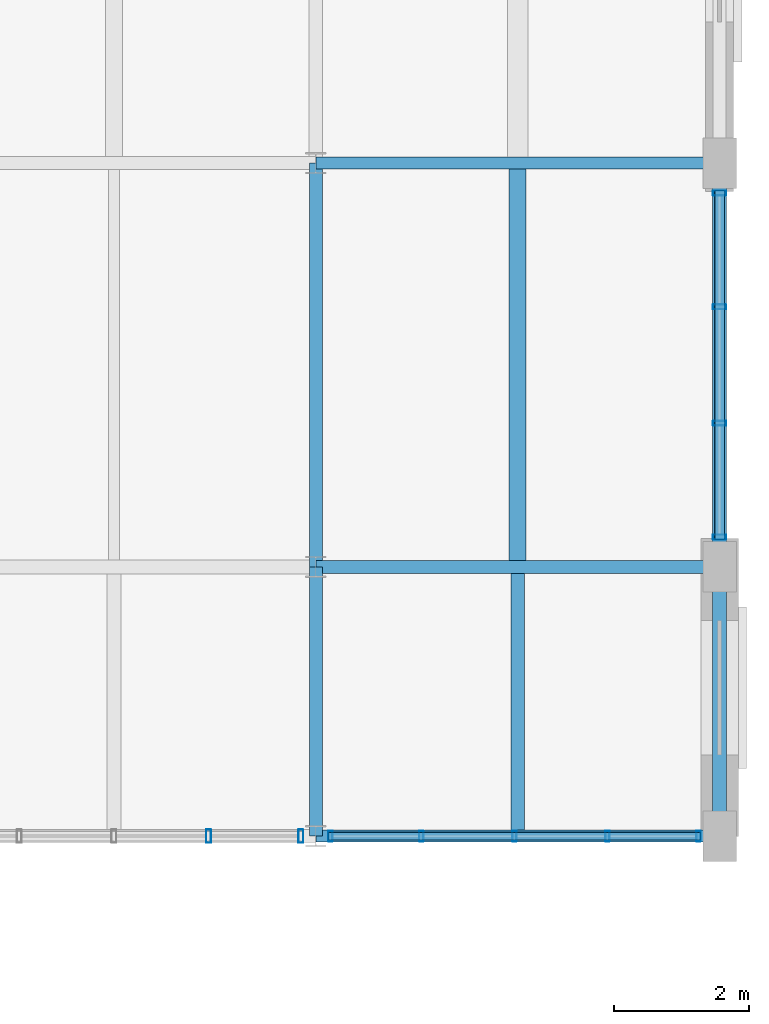
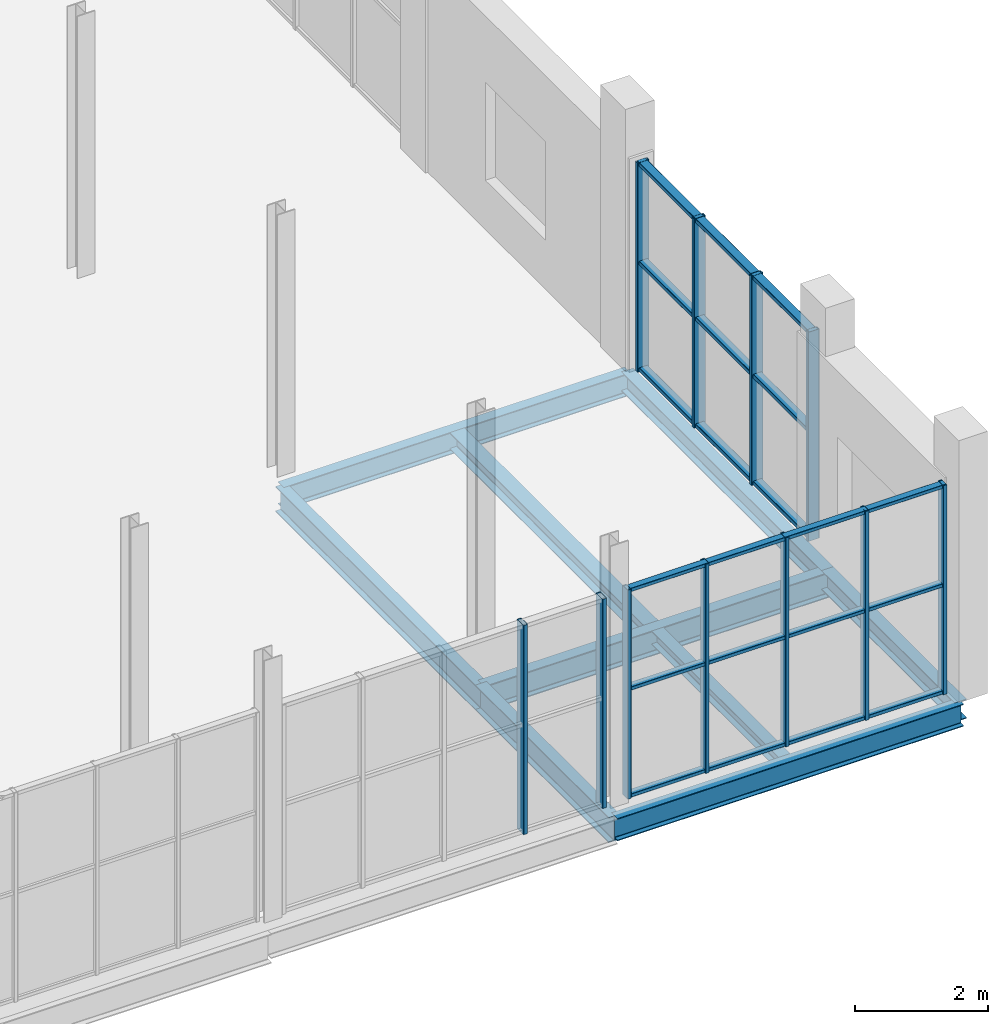
# One storey, part 68 of 114: 17 members, 9 beams, 3 elements without a shape of their own.
"""IFC4 building model written with IfcOpenShell, lengths in metres."""

from ifc_helpers import new_model, si_unit, direction, frame, origin, origin_2d, place, context, subcontext, project, spatial, hollow_rectangle, i_section, extrude, material, material_profile, profile_set, type_object, element, aggregate, save


model = new_model("IFC4")

# Units and contexts
model_context = context("Model", 3, precision=1e-05, world=origin(), true_north=direction((0.0, 1.0)))
body_context = subcontext(model_context, "Body", "Model", "MODEL_VIEW")
ifc_project = project(units=[si_unit("LENGTHUNIT", "METRE"), si_unit("AREAUNIT", "SQUARE_METRE"), si_unit("VOLUMEUNIT", "CUBIC_METRE"), si_unit("PLANEANGLEUNIT", "RADIAN"), si_unit("MASSUNIT", "GRAM", prefix="KILO")], contexts=[model_context])

# Site, building, storey
site_placement = place(None, origin())
site = spatial("IfcSite", under=ifc_project, at=site_placement, CompositionType="ELEMENT")
building_placement = place(site_placement, origin())
building = spatial("IfcBuilding", under=site, at=building_placement, Name="Verrall Gate Interchange", CompositionType="ELEMENT")
storey_placement = place(building_placement, frame((0.0, 0.0, 6.60009765625)))
storey = spatial("IfcBuildingStorey", under=building, at=storey_placement, Name="L02", CompositionType="ELEMENT", Elevation=6.60009765625)

# Beams
ifc_material_1 = material(Name="Structural Steel CSA G40.21 350W", Category="steel")
ifc_material_profile_1 = material_profile(ifc_material_1, i_section(OverallWidth=0.19189453125, OverallDepth=0.462890625, WebThickness=0.010498046875, FlangeThickness=0.017578125, FilletRadius=0.012939453125, at=origin_2d()), Name="W460x89")
ifc_profile_set_1 = profile_set([ifc_material_profile_1], Name="Structural Steel CSA G40.21 350W")
beam_type_1 = type_object("IfcBeamType", Name="B-11 Structural Beam W460x89", PredefinedType="BEAM", material=ifc_profile_set_1)
beam_1_placement = place(storey_placement, frame((162.0, 16.0, -0.51171875), z_axis=(1.0, 0.0, 0.0), x_axis=(0.0, 1.0, 0.0)))
element("IfcBeam", 1, at=beam_1_placement, inside=storey, type_object=beam_type_1, Name="L02 Girder BM-L02-1503 (B-11)", PredefinedType="BEAM", context=body_context, shape_type="SweptSolid", body=[
    extrude(i_section(OverallWidth=0.19189453125, OverallDepth=0.462890625, WebThickness=0.010498046875, FlangeThickness=0.017578125, FilletRadius=0.012939453125, at=origin_2d()), origin(), (0.0, 0.0, 1.0), 6.0),
])
beam_2_placement = place(storey_placement, frame((162.0, 12.0, -0.51171875), z_axis=(0.0, 1.0, 0.0), x_axis=(-1.0, 0.0, 0.0)))
element("IfcBeam", 2, at=beam_2_placement, inside=storey, type_object=beam_type_1, Name="L02 Girder BM-L02-1823 (B-11)", PredefinedType="BEAM", context=body_context, shape_type="SweptSolid", body=[
    extrude(i_section(OverallWidth=0.19189453125, OverallDepth=0.462890625, WebThickness=0.010498046875, FlangeThickness=0.017578125, FilletRadius=0.012939453125, at=origin_2d()), origin(), (0.0, 0.0, 1.0), 4.0),
])
beam_3_placement = place(storey_placement, frame((162.0, 16.0, -0.51171875), z_axis=(0.0, 1.0, 0.0), x_axis=(-1.0, 0.0, 0.0)))
element("IfcBeam", 3, at=beam_3_placement, inside=storey, type_object=beam_type_1, Name="L02 Girder BM-L02-1824 (B-11)", PredefinedType="BEAM", context=body_context, shape_type="SweptSolid", body=[
    extrude(i_section(OverallWidth=0.19189453125, OverallDepth=0.462890625, WebThickness=0.010498046875, FlangeThickness=0.017578125, FilletRadius=0.012939453125, at=origin_2d()), origin(), (0.0, 0.0, 1.0), 6.0),
])
ifc_material_2 = material(Name="Structural Steel CSA G40.21 350W", Category="steel")
ifc_material_profile_2 = material_profile(ifc_material_2, i_section(OverallWidth=0.178955078125, OverallDepth=0.409912109375, WebThickness=0.0087890625, FlangeThickness=0.014404296875, FilletRadius=0.011962890625, at=origin_2d()), Name="W410x67")
ifc_profile_set_2 = profile_set([ifc_material_profile_2], Name="Structural Steel CSA G40.21 350W")
beam_type_2 = type_object("IfcBeamType", Name="B-12 Structural Beam W410x67", PredefinedType="BEAM", material=ifc_profile_set_2)
for number, where, z_axis, x_axis, name in (
    (4, (162.0, 12.0, -0.485107421875), (1.0, 0.0, 0.0), (0.0, 1.0, 0.0), "L02 Girder BM-L02-1486 (B-12)"),
    (5, (162.0, 22.0, -0.485107421875), (1.0, 0.0, 0.0), (0.0, 1.0, 0.0), "L02 Girder BM-L02-1514 (B-12)"),
):
    element("IfcBeam", number, at=place(storey_placement, frame(where, z_axis=z_axis, x_axis=x_axis)), inside=storey, type_object=beam_type_2, Name=name, PredefinedType="BEAM", context=body_context, shape_type="SweptSolid", body=[
        extrude(i_section(OverallWidth=0.178955078125, OverallDepth=0.409912109375, WebThickness=0.0087890625, FlangeThickness=0.014404296875, FilletRadius=0.011962890625, at=origin_2d()), origin(), (0.0, 0.0, 1.0), 6.0),
    ])
ifc_material_3 = material(Name="Structural Steel CSA G40.21 350W", Category="steel")
ifc_material_profile_3 = material_profile(ifc_material_3, i_section(OverallWidth=0.205078125, OverallDepth=0.35400390625, WebThickness=0.009521484375, FlangeThickness=0.016845703125, FilletRadius=0.012939453125, at=origin_2d()), Name="W360x79")
ifc_profile_set_3 = profile_set([ifc_material_profile_3], Name="Structural Steel CSA G40.21 350W")
beam_type_3 = type_object("IfcBeamType", Name="B-14 Structural Beam W360x79", PredefinedType="BEAM", material=ifc_profile_set_3)
beam_4_placement = place(storey_placement, frame((168.0, 12.0, -0.45703125), z_axis=(0.0, 1.0, 0.0), x_axis=(-1.0, 0.0, 0.0)))
element("IfcBeam", 6, at=beam_4_placement, inside=storey, type_object=beam_type_3, Name="L02 Girder BM-L02-1831 (B-14)", PredefinedType="BEAM", context=body_context, shape_type="SweptSolid", body=[
    extrude(i_section(OverallWidth=0.205078125, OverallDepth=0.35400390625, WebThickness=0.009521484375, FlangeThickness=0.016845703125, FilletRadius=0.012939453125, at=origin_2d()), origin(), (0.0, 0.0, 1.0), 4.0),
])
beam_5_placement = place(storey_placement, frame((168.0, 16.0, -0.45703125), z_axis=(0.0, 1.0, 0.0), x_axis=(-1.0, 0.0, 0.0)))
element("IfcBeam", 7, at=beam_5_placement, inside=storey, type_object=beam_type_3, Name="L02 Girder BM-L02-1832 (B-14)", PredefinedType="BEAM", context=body_context, shape_type="SweptSolid", body=[
    extrude(i_section(OverallWidth=0.205078125, OverallDepth=0.35400390625, WebThickness=0.009521484375, FlangeThickness=0.016845703125, FilletRadius=0.012939453125, at=origin_2d()), origin(), (0.0, 0.0, 1.0), 6.0),
])

# Curtain wall, members
ifc_material_4 = material(Name="Thermally Broken Anodized Aluminium Curtain Wall Framing", Category="aluminium")
curtain_wall_type_1 = type_object("IfcCurtainWallType", Name="CW-23 Unitized Curtain Wall 5532x3830", PredefinedType="NOTDEFINED", material=ifc_material_4)
curtain_wall_1_placement = place(storey_placement, origin())
curtain_wall_1 = element("IfcCurtainWall", 8, at=curtain_wall_1_placement, inside=storey, type_object=curtain_wall_type_1, Name="L02 Unitized Curtain Wall CW-L02-090", PredefinedType="NOTDEFINED")
ifc_material_5 = material(Name="Thermally Broken Anodized Aluminium Curtain Wall Framing", Category="aluminium")
ifc_material_profile_4 = material_profile(ifc_material_5, hollow_rectangle(XDim=0.06494140625, YDim=0.159912109375, WallThickness=0.00390625, InnerFilletRadius=0.00390625, OuterFilletRadius=0.008056640625, at=origin_2d()), Name="CWM160x65x4")
ifc_profile_set_4 = profile_set([ifc_material_profile_4], Name="Thermally Broken Anodized Aluminium Curtain Wall Framing")
member_type_1 = type_object("IfcMemberType", Name="CM-01 Curtain Mullion CWM160x65x4", PredefinedType="MULLION", material=ifc_profile_set_4)
member_1_placement = place(storey_placement, frame((162.218017578125, 12.0, 0.0), z_axis=(0.0, 0.0, 1.0), x_axis=(1.0, 0.0, 0.0)))
member_1 = element("IfcMember", 9, at=member_1_placement, type_object=member_type_1, Name="CW-L02-090 Mullion 1", PredefinedType="MULLION", context=body_context, shape_type="SweptSolid", body=[
    extrude(hollow_rectangle(XDim=0.06494140625, YDim=0.159912109375, WallThickness=0.00390625, InnerFilletRadius=0.00390625, OuterFilletRadius=0.008056640625, at=origin_2d()), origin(), (0.0, 0.0, 1.0), 3.829833984375),
])
member_2_placement = place(storey_placement, frame((163.568603515625, 12.0, 0.0), z_axis=(0.0, 0.0, 1.0), x_axis=(1.0, 0.0, 0.0)))
member_2 = element("IfcMember", 10, at=member_2_placement, type_object=member_type_1, Name="CW-L02-090 Mullion 2", PredefinedType="MULLION", context=body_context, shape_type="SweptSolid", body=[
    extrude(hollow_rectangle(XDim=0.06494140625, YDim=0.159912109375, WallThickness=0.00390625, InnerFilletRadius=0.00390625, OuterFilletRadius=0.008056640625, at=origin_2d()), origin(), (0.0, 0.0, 1.0), 3.829833984375),
])
member_3_placement = place(storey_placement, frame((164.95166015625, 12.0, 0.0), z_axis=(0.0, 0.0, 1.0), x_axis=(1.0, 0.0, 0.0)))
member_3 = element("IfcMember", 11, at=member_3_placement, type_object=member_type_1, Name="CW-L02-090 Mullion 3", PredefinedType="MULLION", context=body_context, shape_type="SweptSolid", body=[
    extrude(hollow_rectangle(XDim=0.06494140625, YDim=0.159912109375, WallThickness=0.00390625, InnerFilletRadius=0.00390625, OuterFilletRadius=0.008056640625, at=origin_2d()), origin(), (0.0, 0.0, 1.0), 3.829833984375),
])
member_4_placement = place(storey_placement, frame((166.3349609375, 12.0, 0.0), z_axis=(0.0, 0.0, 1.0), x_axis=(1.0, 0.0, 0.0)))
member_4 = element("IfcMember", 12, at=member_4_placement, type_object=member_type_1, Name="CW-L02-090 Mullion 4", PredefinedType="MULLION", context=body_context, shape_type="SweptSolid", body=[
    extrude(hollow_rectangle(XDim=0.06494140625, YDim=0.159912109375, WallThickness=0.00390625, InnerFilletRadius=0.00390625, OuterFilletRadius=0.008056640625, at=origin_2d()), origin(), (0.0, 0.0, 1.0), 3.829833984375),
])
member_5_placement = place(storey_placement, frame((167.685546875, 12.0, 0.0), z_axis=(0.0, 0.0, 1.0), x_axis=(1.0, 0.0, 0.0)))
member_5 = element("IfcMember", 13, at=member_5_placement, type_object=member_type_1, Name="CW-L02-090 Mullion 5", PredefinedType="MULLION", context=body_context, shape_type="SweptSolid", body=[
    extrude(hollow_rectangle(XDim=0.06494140625, YDim=0.159912109375, WallThickness=0.00390625, InnerFilletRadius=0.00390625, OuterFilletRadius=0.008056640625, at=origin_2d()), origin(), (0.0, 0.0, 1.0), 3.829833984375),
])

ifc_material_6 = material(Name="Thermally Broken Anodized Aluminium Curtain Wall Framing", Category="aluminium")
curtain_wall_type_2 = type_object("IfcCurtainWallType", Name="CW-18 Unitized Curtain Wall 5631x3760", PredefinedType="NOTDEFINED", material=ifc_material_6)
curtain_wall_2_placement = place(storey_placement, origin())
curtain_wall_2 = element("IfcCurtainWall", 14, at=curtain_wall_2_placement, inside=storey, type_object=curtain_wall_type_2, Name="L02 Unitized Curtain Wall CW-L02-089", PredefinedType="NOTDEFINED")
ifc_material_7 = material(Name="Thermally Broken Anodized Aluminium Curtain Wall Framing", Category="aluminium")
ifc_material_profile_5 = material_profile(ifc_material_7, hollow_rectangle(XDim=0.074951171875, YDim=0.199951171875, WallThickness=0.0048828125, InnerFilletRadius=0.0048828125, OuterFilletRadius=0.010009765625, at=origin_2d()), Name="CWM200x75x5")
ifc_profile_set_5 = profile_set([ifc_material_profile_5], Name="Thermally Broken Anodized Aluminium Curtain Wall Framing")
member_type_2 = type_object("IfcMemberType", Name="CM-02 Curtain Mullion CWM200x75x5", PredefinedType="MULLION", material=ifc_profile_set_5)
member_6_placement = place(storey_placement, frame((160.4072265625, 12.0, 0.0), z_axis=(0.0, 0.0, 1.0), x_axis=(1.0, 0.0, 0.0)))
member_6 = element("IfcMember", 15, at=member_6_placement, type_object=member_type_2, Name="CW-L02-089 Mullion 4", PredefinedType="MULLION", context=body_context, shape_type="SweptSolid", body=[
    extrude(hollow_rectangle(XDim=0.074951171875, YDim=0.199951171875, WallThickness=0.0048828125, InnerFilletRadius=0.0048828125, OuterFilletRadius=0.010009765625, at=origin_2d()), origin(), (0.0, 0.0, 1.0), 3.829833984375),
])
member_7_placement = place(storey_placement, frame((161.777099609375, 12.0, 0.0), z_axis=(0.0, 0.0, 1.0), x_axis=(1.0, 0.0, 0.0)))
member_7 = element("IfcMember", 16, at=member_7_placement, type_object=member_type_2, Name="CW-L02-089 Mullion 5", PredefinedType="MULLION", context=body_context, shape_type="SweptSolid", body=[
    extrude(hollow_rectangle(XDim=0.074951171875, YDim=0.199951171875, WallThickness=0.0048828125, InnerFilletRadius=0.0048828125, OuterFilletRadius=0.010009765625, at=origin_2d()), origin(), (0.0, 0.0, 1.0), 3.829833984375),
])
aggregate(curtain_wall_2, [member_6, member_7])

ifc_material_8 = material(Name="Thermally Broken Anodized Aluminium Curtain Wall Framing", Category="aluminium")
curtain_wall_type_3 = type_object("IfcCurtainWallType", Name="CW-24 Unitized Curtain Wall 5186x3830", PredefinedType="NOTDEFINED", material=ifc_material_8)
curtain_wall_3_placement = place(storey_placement, origin())
curtain_wall_3 = element("IfcCurtainWall", 17, at=curtain_wall_3_placement, inside=storey, type_object=curtain_wall_type_3, Name="L02 Unitized Curtain Wall CW-L02-091", PredefinedType="NOTDEFINED")
member_8_placement = place(storey_placement, frame((168.0, 16.444580078125, 0.0), z_axis=(0.0, 0.0, 1.0), x_axis=(0.0, 1.0, 0.0)))
member_8 = element("IfcMember", 18, at=member_8_placement, type_object=member_type_2, Name="CW-L02-091 Mullion 1", PredefinedType="MULLION", context=body_context, shape_type="SweptSolid", body=[
    extrude(hollow_rectangle(XDim=0.074951171875, YDim=0.199951171875, WallThickness=0.0048828125, InnerFilletRadius=0.0048828125, OuterFilletRadius=0.010009765625, at=origin_2d()), origin(), (0.0, 0.0, 1.0), 3.829833984375),
])
member_9_placement = place(storey_placement, frame((168.0, 18.1357421875, 0.0), z_axis=(0.0, 0.0, 1.0), x_axis=(0.0, 1.0, 0.0)))
member_9 = element("IfcMember", 19, at=member_9_placement, type_object=member_type_2, Name="CW-L02-091 Mullion 2", PredefinedType="MULLION", context=body_context, shape_type="SweptSolid", body=[
    extrude(hollow_rectangle(XDim=0.074951171875, YDim=0.199951171875, WallThickness=0.0048828125, InnerFilletRadius=0.0048828125, OuterFilletRadius=0.010009765625, at=origin_2d()), origin(), (0.0, 0.0, 1.0), 3.829833984375),
])
member_10_placement = place(storey_placement, frame((168.0, 19.8642578125, 0.0), z_axis=(0.0, 0.0, 1.0), x_axis=(0.0, 1.0, 0.0)))
member_10 = element("IfcMember", 20, at=member_10_placement, type_object=member_type_2, Name="CW-L02-091 Mullion 3", PredefinedType="MULLION", context=body_context, shape_type="SweptSolid", body=[
    extrude(hollow_rectangle(XDim=0.074951171875, YDim=0.199951171875, WallThickness=0.0048828125, InnerFilletRadius=0.0048828125, OuterFilletRadius=0.010009765625, at=origin_2d()), origin(), (0.0, 0.0, 1.0), 3.829833984375),
])
member_11_placement = place(storey_placement, frame((168.0, 21.555419921875, 0.0), z_axis=(0.0, 0.0, 1.0), x_axis=(0.0, 1.0, 0.0)))
member_11 = element("IfcMember", 21, at=member_11_placement, type_object=member_type_2, Name="CW-L02-091 Mullion 4", PredefinedType="MULLION", context=body_context, shape_type="SweptSolid", body=[
    extrude(hollow_rectangle(XDim=0.074951171875, YDim=0.199951171875, WallThickness=0.0048828125, InnerFilletRadius=0.0048828125, OuterFilletRadius=0.010009765625, at=origin_2d()), origin(), (0.0, 0.0, 1.0), 3.829833984375),
])

# Member
ifc_material_9 = material(Name="Thermally Broken Anodized Aluminium Curtain Wall Framing", Category="aluminium")
ifc_material_profile_6 = material_profile(ifc_material_9, hollow_rectangle(XDim=0.1201171875, YDim=0.06494140625, WallThickness=0.00390625, InnerFilletRadius=0.00390625, OuterFilletRadius=0.008056640625, at=origin_2d()), Name="CWT120x65x4")
ifc_profile_set_6 = profile_set([ifc_material_profile_6], Name="Thermally Broken Anodized Aluminium Curtain Wall Framing")
member_type_3 = type_object("IfcMemberType", Name="CT-01 Curtain Transom CWT120x65x4", PredefinedType="USERDEFINED", material=ifc_profile_set_6)
member_12_placement = place(storey_placement, frame((162.185546875, 12.0, 0.032470703125), z_axis=(1.0, 0.0, 0.0), x_axis=(0.0, 1.0, 0.0)))
member_12 = element("IfcMember", 22, at=member_12_placement, type_object=member_type_3, Name="CW-L02-090 Transom 1", ObjectType="TRANSOM", PredefinedType="USERDEFINED", context=body_context, shape_type="SweptSolid", body=[
    extrude(hollow_rectangle(XDim=0.1201171875, YDim=0.06494140625, WallThickness=0.00390625, InnerFilletRadius=0.00390625, OuterFilletRadius=0.008056640625, at=origin_2d()), origin(), (0.0, 0.0, 1.0), 5.532470703125),
])

member_13_placement = place(storey_placement, frame((162.185546875, 12.0, 1.991455078125), z_axis=(1.0, 0.0, 0.0), x_axis=(0.0, 1.0, 0.0)))
member_13 = element("IfcMember", 23, at=member_13_placement, type_object=member_type_3, Name="CW-L02-090 Transom 2", ObjectType="TRANSOM", PredefinedType="USERDEFINED", context=body_context, shape_type="SweptSolid", body=[
    extrude(hollow_rectangle(XDim=0.1201171875, YDim=0.06494140625, WallThickness=0.00390625, InnerFilletRadius=0.00390625, OuterFilletRadius=0.008056640625, at=origin_2d()), origin(), (0.0, 0.0, 1.0), 5.532470703125),
])

member_14_placement = place(storey_placement, frame((162.185546875, 12.0, 3.79736328125), z_axis=(1.0, 0.0, 0.0), x_axis=(0.0, 1.0, 0.0)))
member_14 = element("IfcMember", 24, at=member_14_placement, type_object=member_type_3, Name="CW-L02-090 Transom 3", ObjectType="TRANSOM", PredefinedType="USERDEFINED", context=body_context, shape_type="SweptSolid", body=[
    extrude(hollow_rectangle(XDim=0.1201171875, YDim=0.06494140625, WallThickness=0.00390625, InnerFilletRadius=0.00390625, OuterFilletRadius=0.008056640625, at=origin_2d()), origin(), (0.0, 0.0, 1.0), 5.532470703125),
])

aggregate(curtain_wall_1, [member_1, member_2, member_3, member_4, member_5, member_12, member_13, member_14])

ifc_material_10 = material(Name="Thermally Broken Anodized Aluminium Curtain Wall Framing", Category="aluminium")
ifc_material_profile_7 = material_profile(ifc_material_10, hollow_rectangle(XDim=0.14990234375, YDim=0.074951171875, WallThickness=0.00439453125, InnerFilletRadius=0.00439453125, OuterFilletRadius=0.009033203125, at=origin_2d()), Name="CWT150x75x4.5")
ifc_profile_set_7 = profile_set([ifc_material_profile_7], Name="Thermally Broken Anodized Aluminium Curtain Wall Framing")
member_type_4 = type_object("IfcMemberType", Name="CT-02 Curtain Transom CWT150x75x4.5", PredefinedType="USERDEFINED", material=ifc_profile_set_7)
member_15_placement = place(storey_placement, frame((168.0, 16.406982421875, 0.037353515625), z_axis=(0.0, 1.0, 0.0), x_axis=(-1.0, 0.0, 0.0)))
member_15 = element("IfcMember", 25, at=member_15_placement, type_object=member_type_4, Name="CW-L02-091 Transom 1", ObjectType="TRANSOM", PredefinedType="USERDEFINED", context=body_context, shape_type="SweptSolid", body=[
    extrude(hollow_rectangle(XDim=0.14990234375, YDim=0.074951171875, WallThickness=0.00439453125, InnerFilletRadius=0.00439453125, OuterFilletRadius=0.009033203125, at=origin_2d()), origin(), (0.0, 0.0, 1.0), 5.18603515625),
])

member_16_placement = place(storey_placement, frame((168.0, 16.406982421875, 1.991455078125), z_axis=(0.0, 1.0, 0.0), x_axis=(-1.0, 0.0, 0.0)))
member_16 = element("IfcMember", 26, at=member_16_placement, type_object=member_type_4, Name="CW-L02-091 Transom 2", ObjectType="TRANSOM", PredefinedType="USERDEFINED", context=body_context, shape_type="SweptSolid", body=[
    extrude(hollow_rectangle(XDim=0.14990234375, YDim=0.074951171875, WallThickness=0.00439453125, InnerFilletRadius=0.00439453125, OuterFilletRadius=0.009033203125, at=origin_2d()), origin(), (0.0, 0.0, 1.0), 5.18603515625),
])

member_17_placement = place(storey_placement, frame((168.0, 16.406982421875, 3.79248046875), z_axis=(0.0, 1.0, 0.0), x_axis=(-1.0, 0.0, 0.0)))
member_17 = element("IfcMember", 27, at=member_17_placement, type_object=member_type_4, Name="CW-L02-091 Transom 3", ObjectType="TRANSOM", PredefinedType="USERDEFINED", context=body_context, shape_type="SweptSolid", body=[
    extrude(hollow_rectangle(XDim=0.14990234375, YDim=0.074951171875, WallThickness=0.00439453125, InnerFilletRadius=0.00439453125, OuterFilletRadius=0.009033203125, at=origin_2d()), origin(), (0.0, 0.0, 1.0), 5.18603515625),
])

aggregate(curtain_wall_3, [member_8, member_9, member_10, member_11, member_15, member_16, member_17])

# Beams
ifc_material_11 = material(Name="Structural Steel CSA G40.21 350W", Category="steel")
ifc_material_profile_8 = material_profile(ifc_material_11, i_section(OverallWidth=0.25390625, OverallDepth=0.305908203125, WebThickness=0.0087890625, FlangeThickness=0.0146484375, FilletRadius=0.012939453125, at=origin_2d()), Name="W310x79")
ifc_profile_set_8 = profile_set([ifc_material_profile_8], Name="Structural Steel CSA G40.21 350W")
beam_type_4 = type_object("IfcBeamType", Name="J-03 Floor Joist W310x79", PredefinedType="JOIST", material=ifc_profile_set_8)
beam_6_placement = place(storey_placement, frame((165.0, 16.095947265625, -0.43310546875), z_axis=(0.0, 1.0, 0.0), x_axis=(-1.0, 0.0, 0.0)))
element("IfcBeam", 28, at=beam_6_placement, inside=storey, type_object=beam_type_4, Name="L02 Secondary Floor Joist JST-L02-1890", PredefinedType="JOIST", context=body_context, shape_type="SweptSolid", body=[
    extrude(i_section(OverallWidth=0.25390625, OverallDepth=0.305908203125, WebThickness=0.0087890625, FlangeThickness=0.0146484375, FilletRadius=0.012939453125, at=origin_2d()), origin(), (0.0, 0.0, 1.0), 5.814453125),
])
ifc_material_12 = material(Name="Structural Steel CSA G40.21 350W", Category="steel")
ifc_material_profile_9 = material_profile(ifc_material_12, i_section(OverallWidth=0.201904296875, OverallDepth=0.2470703125, WebThickness=0.00732421875, FlangeThickness=0.010986328125, FilletRadius=0.010986328125, at=origin_2d()), Name="W250x49")
ifc_profile_set_9 = profile_set([ifc_material_profile_9], Name="Structural Steel CSA G40.21 350W")
beam_type_5 = type_object("IfcBeamType", Name="J-06 Floor Joist W250x49", PredefinedType="JOIST", material=ifc_profile_set_9)
beam_7_placement = place(storey_placement, frame((165.0, 12.089599609375, -0.403564453125), z_axis=(0.0, 1.0, 0.0), x_axis=(-1.0, 0.0, 0.0)))
element("IfcBeam", 29, at=beam_7_placement, inside=storey, type_object=beam_type_5, Name="L02 Secondary Floor Joist JST-L02-1883", PredefinedType="JOIST", context=body_context, shape_type="SweptSolid", body=[
    extrude(i_section(OverallWidth=0.201904296875, OverallDepth=0.2470703125, WebThickness=0.00732421875, FlangeThickness=0.010986328125, FilletRadius=0.010986328125, at=origin_2d()), origin(), (0.0, 0.0, 1.0), 3.814453125),
])

save(model, "model.ifc")
